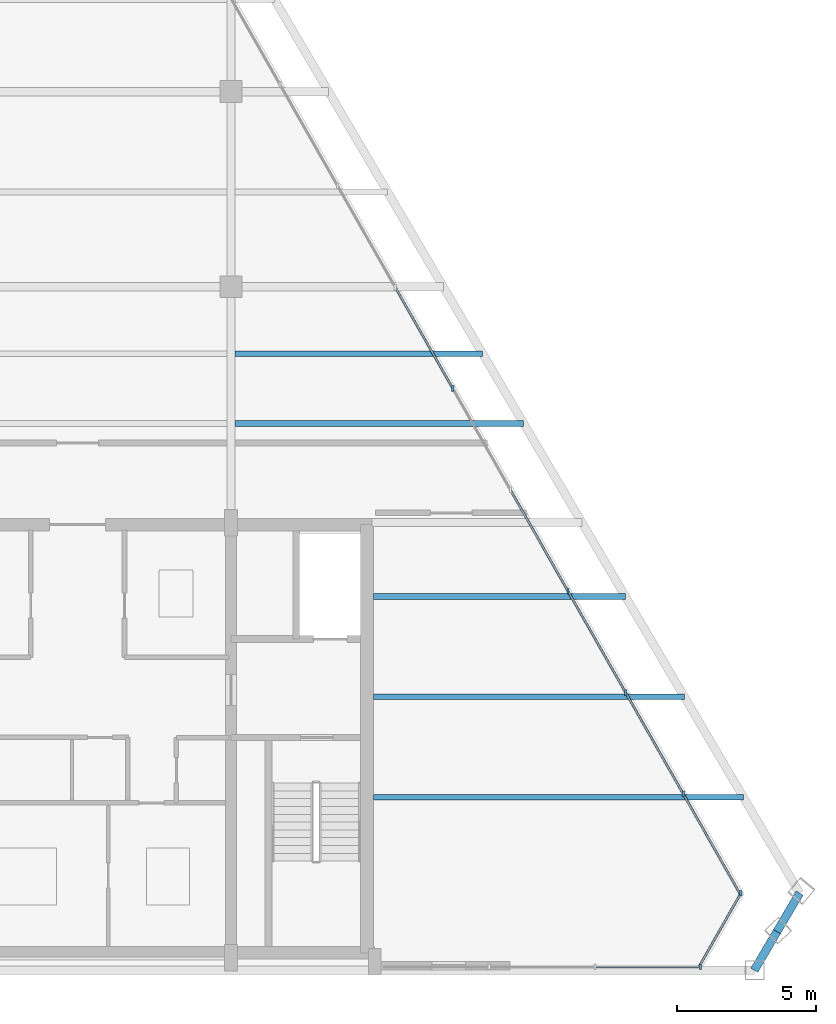
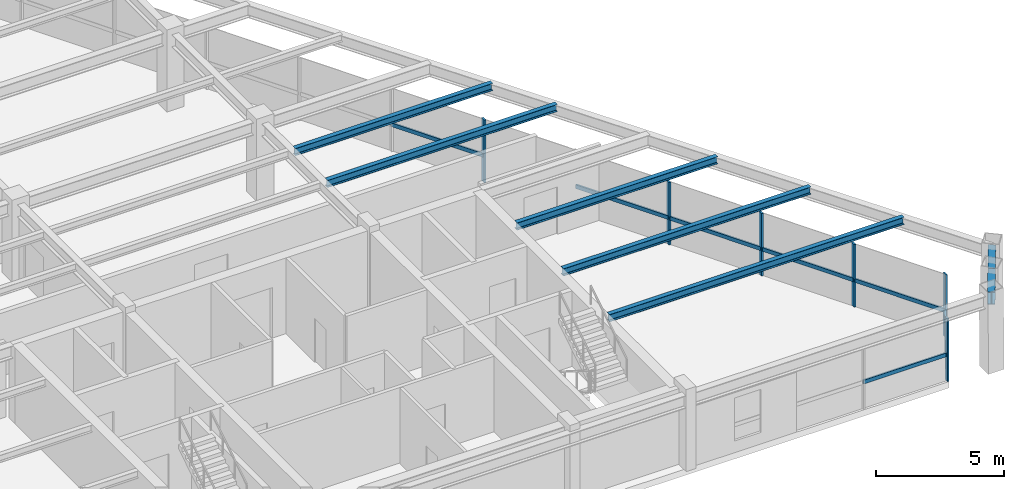
# One storey, part 6 of 12: 13 members, 7 beams, 3 elements without a shape of their own.
"""IFC4 building model written with IfcOpenShell, lengths in metres."""

from ifc_helpers import new_model, si_unit, direction, frame, origin, origin_2d, place, context, subcontext, project, spatial, rectangle, i_section, extrude, source, transform, mapped, material, material_profile, profile_set, type_object, type_shapes, element, aggregate, save


model = new_model("IFC4")

# Units and contexts
model_context = context("Model", 3, precision=1e-05, world=origin(), true_north=direction((0.0, 1.0)))
body_context = subcontext(model_context, "Body", "Model", "MODEL_VIEW")
ifc_project = project(units=[si_unit("LENGTHUNIT", "METRE"), si_unit("AREAUNIT", "SQUARE_METRE"), si_unit("VOLUMEUNIT", "CUBIC_METRE"), si_unit("PLANEANGLEUNIT", "RADIAN"), si_unit("MASSUNIT", "GRAM", prefix="KILO")], contexts=[model_context])

# Site, building, storey
site_placement = place(None, origin())
site = spatial("IfcSite", under=ifc_project, at=site_placement, CompositionType="ELEMENT")
building_placement = place(site_placement, origin())
building = spatial("IfcBuilding", under=site, at=building_placement, Name="Varnakhor Terracotta Tower", CompositionType="ELEMENT")
storey_placement = place(building_placement, frame((0.0, 0.0, 309.699951171875)))
storey = spatial("IfcBuildingStorey", under=building, at=storey_placement, Name="L81 Crown", CompositionType="ELEMENT", Elevation=309.699951171875)

# Beams
ifc_material_1 = material(Name="Steel S355", Category="steel")
ifc_material_profile_1 = material_profile(ifc_material_1, i_section(OverallWidth=0.300048828125, OverallDepth=0.60009765625, WebThickness=0.015380859375, FlangeThickness=0.030029296875, FilletRadius=0.01806640625, at=origin_2d()), Name="HEB600")
ifc_profile_set_1 = profile_set([ifc_material_profile_1], Name="Steel S355")
beam_type_1 = type_object("IfcBeamType", Name="BM-HEB600", PredefinedType="BEAM", material=ifc_profile_set_1)
shared_shape_1 = source(origin(), body_context, "Body", "SweptSolid", [
    extrude(i_section(OverallWidth=0.300048828125, OverallDepth=0.60009765625, WebThickness=0.015380859375, FlangeThickness=0.030029296875, FilletRadius=0.01806640625, at=origin_2d()), origin(), (0.0, 0.0, 1.0), 1.605224609375),
])
beam_1_placement = place(storey_placement, frame((24.260986328125, 0.0, 3.300048828125), z_axis=(0.506780821186, 0.862074938319, 0.0), x_axis=(-0.862074938319, 0.506780821186, 0.0)))
element("IfcBeam", 1, at=beam_1_placement, inside=storey, type_object=beam_type_1, Name="L81 Crown Perimeter Spandrel 2", PredefinedType="BEAM", context=body_context, shape_type="MappedRepresentation", body=[
    mapped(shared_shape_1, transform((0.0, 0.0, 0.0), scale=1.0)),
])
shared_shape_2 = source(origin(), body_context, "Body", "SweptSolid", [
    extrude(i_section(OverallWidth=0.300048828125, OverallDepth=0.60009765625, WebThickness=0.015380859375, FlangeThickness=0.030029296875, FilletRadius=0.01806640625, at=origin_2d()), origin(), (0.0, 0.0, 1.0), 1.60546875),
])
beam_2_placement = place(storey_placement, frame((25.074462890625, 1.3837890625, 3.300048828125), z_axis=(0.506714380628, 0.862113992732, 0.0), x_axis=(-0.862113992732, 0.506714380628, 0.0)))
element("IfcBeam", 2, at=beam_2_placement, inside=storey, type_object=beam_type_1, Name="L81 Crown Perimeter Spandrel 3", PredefinedType="BEAM", context=body_context, shape_type="MappedRepresentation", body=[
    mapped(shared_shape_2, transform((0.0, 0.0, 0.0), scale=1.0)),
])
ifc_material_profile_2 = material_profile(ifc_material_1, i_section(OverallWidth=0.202880859375, OverallDepth=0.346923828125, WebThickness=0.0078125, FlangeThickness=0.013427734375, FilletRadius=0.01806640625, at=origin_2d()), Name="W14X43")
ifc_profile_set_2 = profile_set([ifc_material_profile_2], Name="Steel S355")
beam_type_2 = type_object("IfcBeamType", Name="JST-W14X43", PredefinedType="JOIST", material=ifc_profile_set_2)
shared_shape_3 = source(origin(), body_context, "Body", "SweptSolid", [
    extrude(i_section(OverallWidth=0.202880859375, OverallDepth=0.346923828125, WebThickness=0.0078125, FlangeThickness=0.013427734375, FilletRadius=0.01806640625, at=origin_2d()), origin(), (0.0, 0.0, 1.0), 13.270263671875),
])
beam_3_placement = place(storey_placement, frame((10.60009765625, 6.199951171875, 3.426513671875), z_axis=(1.0, 0.0, 0.0), x_axis=(0.0, 1.0, 0.0)))
element("IfcBeam", 3, at=beam_3_placement, inside=storey, type_object=beam_type_2, Name="L81 Crown Floor Joist E1", PredefinedType="JOIST", context=body_context, shape_type="MappedRepresentation", body=[
    mapped(shared_shape_3, transform((0.0, 0.0, 0.0), scale=1.0)),
])
shared_shape_4 = source(origin(), body_context, "Body", "SweptSolid", [
    extrude(i_section(OverallWidth=0.202880859375, OverallDepth=0.346923828125, WebThickness=0.0078125, FlangeThickness=0.013427734375, FilletRadius=0.01806640625, at=origin_2d()), origin(), (0.0, 0.0, 1.0), 11.154052734375),
])
beam_4_placement = place(storey_placement, frame((10.60009765625, 9.800048828125, 3.426513671875), z_axis=(1.0, 0.0, 0.0), x_axis=(0.0, 1.0, 0.0)))
element("IfcBeam", 4, at=beam_4_placement, inside=storey, type_object=beam_type_2, Name="L81 Crown Floor Joist E2", PredefinedType="JOIST", context=body_context, shape_type="MappedRepresentation", body=[
    mapped(shared_shape_4, transform((0.0, 0.0, 0.0), scale=1.0)),
])
shared_shape_5 = source(origin(), body_context, "Body", "SweptSolid", [
    extrude(i_section(OverallWidth=0.202880859375, OverallDepth=0.346923828125, WebThickness=0.0078125, FlangeThickness=0.013427734375, FilletRadius=0.01806640625, at=origin_2d()), origin(), (0.0, 0.0, 1.0), 9.03759765625),
])
beam_5_placement = place(storey_placement, frame((10.60009765625, 13.39990234375, 3.426513671875), z_axis=(1.0, 0.0, 0.0), x_axis=(0.0, 1.0, 0.0)))
element("IfcBeam", 5, at=beam_5_placement, inside=storey, type_object=beam_type_2, Name="L81 Crown Floor Joist E3", PredefinedType="JOIST", context=body_context, shape_type="MappedRepresentation", body=[
    mapped(shared_shape_5, transform((0.0, 0.0, 0.0), scale=1.0)),
])
shared_shape_6 = source(origin(), body_context, "Body", "SweptSolid", [
    extrude(i_section(OverallWidth=0.202880859375, OverallDepth=0.346923828125, WebThickness=0.0078125, FlangeThickness=0.013427734375, FilletRadius=0.01806640625, at=origin_2d()), origin(), (0.0, 0.0, 1.0), 10.34716796875),
])
beam_6_placement = place(storey_placement, frame((5.64599609375, 19.60009765625, 3.426513671875), z_axis=(1.0, 0.0, 0.0), x_axis=(0.0, 1.0, 0.0)))
element("IfcBeam", 6, at=beam_6_placement, inside=storey, type_object=beam_type_2, Name="L81 Crown Composite Floor Joist 4-3", PredefinedType="JOIST", context=body_context, shape_type="MappedRepresentation", body=[
    mapped(shared_shape_6, transform((0.0, 0.0, 0.0), scale=1.0)),
])
shared_shape_7 = source(origin(), body_context, "Body", "SweptSolid", [
    extrude(i_section(OverallWidth=0.202880859375, OverallDepth=0.346923828125, WebThickness=0.0078125, FlangeThickness=0.013427734375, FilletRadius=0.01806640625, at=origin_2d()), origin(), (0.0, 0.0, 1.0), 8.87744140625),
])
beam_7_placement = place(storey_placement, frame((5.64599609375, 22.10009765625, 3.426513671875), z_axis=(1.0, 0.0, 0.0), x_axis=(0.0, 1.0, 0.0)))
element("IfcBeam", 7, at=beam_7_placement, inside=storey, type_object=beam_type_2, Name="L81 Crown Composite Floor Joist 5-3", PredefinedType="JOIST", context=body_context, shape_type="MappedRepresentation", body=[
    mapped(shared_shape_7, transform((0.0, 0.0, 0.0), scale=1.0)),
])

# Curtain wall, members
ifc_material_2 = material(Name="Anodised Aluminium Curtain Wall System", Category="aluminium")
curtain_wall_type = type_object("IfcCurtainWallType", Name="CW-SYS-CROWN", PredefinedType="NOTDEFINED", material=ifc_material_2)
curtain_wall_1_placement = place(storey_placement, origin())
curtain_wall_1 = element("IfcCurtainWall", 8, at=curtain_wall_1_placement, inside=storey, type_object=curtain_wall_type, Name="L81 Crown Facet Curtain Wall 3", PredefinedType="NOTDEFINED")
ifc_material_3 = material(Name="Anodised Aluminium 6063-T6", Category="aluminium")
ifc_material_profile_3 = material_profile(ifc_material_3, rectangle(XDim=0.080078125, YDim=0.205078125, at=origin_2d()), Name="ALU MULLION 80x205")
ifc_profile_set_3 = profile_set([ifc_material_profile_3], Name="Anodised Aluminium 6063-T6")
member_type_1 = type_object("IfcMemberType", Name="CWM-06", PredefinedType="MULLION", material=ifc_profile_set_3)
shared_shape_8 = source(origin(), body_context, "Body", "SweptSolid", [
    extrude(rectangle(XDim=0.080078125, YDim=0.205078125, at=origin_2d()), origin(), (0.0, 0.0, 1.0), 2.97998046875),
])
type_shapes(member_type_1, [shared_shape_8])
member_1_placement = place(storey_placement, frame((13.451171875, 20.85546875, 0.0), z_axis=(0.0, 0.0, 1.0), x_axis=(1.0, 0.0, 0.0)))
member_1 = element("IfcMember", 9, at=member_1_placement, type_object=member_type_1, Name="L81 Crown Facet Curtain Wall 3 Mullion 7", PredefinedType="MULLION", context=body_context, shape_type="MappedRepresentation", body=[
    mapped(shared_shape_8, transform((0.0, 0.0, 0.0), scale=1.0)),
])
member_2_placement = place(storey_placement, frame((17.58154296875, 13.590087890625, 0.0), z_axis=(0.0, 0.0, 1.0), x_axis=(1.0, 0.0, 0.0)))
member_2 = element("IfcMember", 10, at=member_2_placement, type_object=member_type_1, Name="L81 Crown Facet Curtain Wall 3 Mullion 9", PredefinedType="MULLION", context=body_context, shape_type="MappedRepresentation", body=[
    mapped(shared_shape_8, transform((0.0, 0.0, 0.0), scale=1.0)),
])
member_3_placement = place(storey_placement, frame((19.646728515625, 9.95751953125, 0.0), z_axis=(0.0, 0.0, 1.0), x_axis=(1.0, 0.0, 0.0)))
member_3 = element("IfcMember", 11, at=member_3_placement, type_object=member_type_1, Name="L81 Crown Facet Curtain Wall 3 Mullion 10", PredefinedType="MULLION", context=body_context, shape_type="MappedRepresentation", body=[
    mapped(shared_shape_8, transform((0.0, 0.0, 0.0), scale=1.0)),
])
member_4_placement = place(storey_placement, frame((21.7119140625, 6.324951171875, 0.0), z_axis=(0.0, 0.0, 1.0), x_axis=(1.0, 0.0, 0.0)))
member_4 = element("IfcMember", 12, at=member_4_placement, type_object=member_type_1, Name="L81 Crown Facet Curtain Wall 3 Mullion 11", PredefinedType="MULLION", context=body_context, shape_type="MappedRepresentation", body=[
    mapped(shared_shape_8, transform((0.0, 0.0, 0.0), scale=1.0)),
])

# Curtain wall, member
curtain_wall_2_placement = place(storey_placement, origin())
curtain_wall_2 = element("IfcCurtainWall", 13, at=curtain_wall_2_placement, inside=storey, type_object=curtain_wall_type, Name="L81 Crown Facet Curtain Wall 4", PredefinedType="NOTDEFINED")
member_5_placement = place(storey_placement, frame((23.777099609375, 2.7587890625, 0.0), z_axis=(0.0, 0.0, 1.0), x_axis=(1.0, 0.0, 0.0)))
member_5 = element("IfcMember", 14, at=member_5_placement, type_object=member_type_1, Name="L81 Crown Facet Curtain Wall 4 Mullion 1", PredefinedType="MULLION", context=body_context, shape_type="MappedRepresentation", body=[
    mapped(shared_shape_8, transform((0.0, 0.0, 0.0), scale=1.0)),
])

curtain_wall_3_placement = place(storey_placement, origin())
curtain_wall_3 = element("IfcCurtainWall", 15, at=curtain_wall_3_placement, inside=storey, type_object=curtain_wall_type, Name="L81 Crown South Wing Curtain Wall SSE", PredefinedType="NOTDEFINED")
member_6_placement = place(storey_placement, frame((22.336669921875, 0.1201171875, 0.0), z_axis=(0.0, 0.0, 1.0), x_axis=(1.0, 0.0, 0.0)))
member_6 = element("IfcMember", 16, at=member_6_placement, type_object=member_type_1, Name="L81 Crown South Wing Curtain Wall SSE Mullion 1", PredefinedType="MULLION", context=body_context, shape_type="MappedRepresentation", body=[
    mapped(shared_shape_8, transform((0.0, 0.0, 0.0), scale=1.0)),
])

# Member
ifc_material_profile_4 = material_profile(ifc_material_3, rectangle(XDim=0.080078125, YDim=0.179931640625, at=origin_2d()), Name="ALU TRANSOM 80x180")
ifc_profile_set_4 = profile_set([ifc_material_profile_4], Name="Anodised Aluminium 6063-T6")
member_type_2 = type_object("IfcMemberType", Name="CWT-06", PredefinedType="USERDEFINED", material=ifc_profile_set_4)
shared_shape_9 = source(origin(), body_context, "Body", "SweptSolid", [
    extrude(rectangle(XDim=0.080078125, YDim=0.179931640625, at=origin_2d()), origin(), (0.0, 0.0, 1.0), 4.178466796875),
])
member_7_placement = place(storey_placement, frame((17.58154296875, 13.590087890625, 1.251708984375), z_axis=(0.494231234941, -0.869330481698, 0.0), x_axis=(0.869330481698, 0.494231234941, 0.0)))
member_7 = element("IfcMember", 17, at=member_7_placement, type_object=member_type_2, Name="L81 Crown Facet Curtain Wall 3 Transom 9", ObjectType="TRANSOM", PredefinedType="USERDEFINED", context=body_context, shape_type="MappedRepresentation", body=[
    mapped(shared_shape_9, transform((0.0, 0.0, 0.0), scale=1.0)),
])

member_8_placement = place(storey_placement, frame((19.646728515625, 9.95751953125, 1.251708984375), z_axis=(0.494231234941, -0.869330481698, 0.0), x_axis=(0.869330481698, 0.494231234941, 0.0)))
member_8 = element("IfcMember", 18, at=member_8_placement, type_object=member_type_2, Name="L81 Crown Facet Curtain Wall 3 Transom 10", ObjectType="TRANSOM", PredefinedType="USERDEFINED", context=body_context, shape_type="MappedRepresentation", body=[
    mapped(shared_shape_9, transform((0.0, 0.0, 0.0), scale=1.0)),
])

member_9_placement = place(storey_placement, frame((21.7119140625, 6.324951171875, 1.251708984375), z_axis=(0.494231234941, -0.869330481698, 0.0), x_axis=(0.869330481698, 0.494231234941, 0.0)))
member_9 = element("IfcMember", 19, at=member_9_placement, type_object=member_type_2, Name="L81 Crown Facet Curtain Wall 3 Transom 11", ObjectType="TRANSOM", PredefinedType="USERDEFINED", context=body_context, shape_type="MappedRepresentation", body=[
    mapped(shared_shape_9, transform((0.0, 0.0, 0.0), scale=1.0)),
])

shared_shape_10 = source(origin(), body_context, "Body", "SweptSolid", [
    extrude(rectangle(XDim=0.080078125, YDim=0.179931640625, at=origin_2d()), origin(), (0.0, 0.0, 1.0), 4.1787109375),
])
member_10_placement = place(storey_placement, frame((11.385986328125, 24.48828125, 1.251708984375), z_axis=(0.494206132973, -0.869344752174, 0.0), x_axis=(0.869344752174, 0.494206132973, 0.0)))
member_10 = element("IfcMember", 20, at=member_10_placement, type_object=member_type_2, Name="L81 Crown Facet Curtain Wall 3 Transom 6", ObjectType="TRANSOM", PredefinedType="USERDEFINED", context=body_context, shape_type="MappedRepresentation", body=[
    mapped(shared_shape_10, transform((0.0, 0.0, 0.0), scale=1.0)),
])

member_11_placement = place(storey_placement, frame((15.516357421875, 17.222900390625, 1.251708984375), z_axis=(0.494206132973, -0.869344752174, 0.0), x_axis=(0.869344752174, 0.494206132973, 0.0)))
member_11 = element("IfcMember", 21, at=member_11_placement, type_object=member_type_2, Name="L81 Crown Facet Curtain Wall 3 Transom 8", ObjectType="TRANSOM", PredefinedType="USERDEFINED", context=body_context, shape_type="MappedRepresentation", body=[
    mapped(shared_shape_10, transform((0.0, 0.0, 0.0), scale=1.0)),
])

aggregate(curtain_wall_1, [member_10, member_1, member_11, member_2, member_7, member_3, member_8, member_4, member_9])

shared_shape_11 = source(origin(), body_context, "Body", "SweptSolid", [
    extrude(rectangle(XDim=0.080078125, YDim=0.179931640625, at=origin_2d()), origin(), (0.0, 0.0, 1.0), 3.0751953125),
])
member_12_placement = place(storey_placement, frame((23.777099609375, 2.7587890625, 1.251708984375), z_axis=(-0.494273993037, -0.8693061715, 0.0), x_axis=(0.8693061715, -0.494273993037, 0.0)))
member_12 = element("IfcMember", 22, at=member_12_placement, type_object=member_type_2, Name="L81 Crown Facet Curtain Wall 4 Transom 1", ObjectType="TRANSOM", PredefinedType="USERDEFINED", context=body_context, shape_type="MappedRepresentation", body=[
    mapped(shared_shape_11, transform((0.0, 0.0, 0.0), scale=1.0)),
])

aggregate(curtain_wall_2, [member_5, member_12])

shared_shape_12 = source(origin(), body_context, "Body", "SweptSolid", [
    extrude(rectangle(XDim=0.080078125, YDim=0.179931640625, at=origin_2d()), origin(), (0.0, 0.0, 1.0), 3.7890625),
])
member_13_placement = place(storey_placement, frame((22.336669921875, 0.1201171875, 1.251708984375), z_axis=(-1.0, 0.0, 0.0), x_axis=(0.0, -1.0, 0.0)))
member_13 = element("IfcMember", 23, at=member_13_placement, type_object=member_type_2, Name="L81 Crown South Wing Curtain Wall SSE Transom 1", ObjectType="TRANSOM", PredefinedType="USERDEFINED", context=body_context, shape_type="MappedRepresentation", body=[
    mapped(shared_shape_12, transform((0.0, 0.0, 0.0), scale=1.0)),
])

aggregate(curtain_wall_3, [member_6, member_13])

save(model, "model.ifc")
